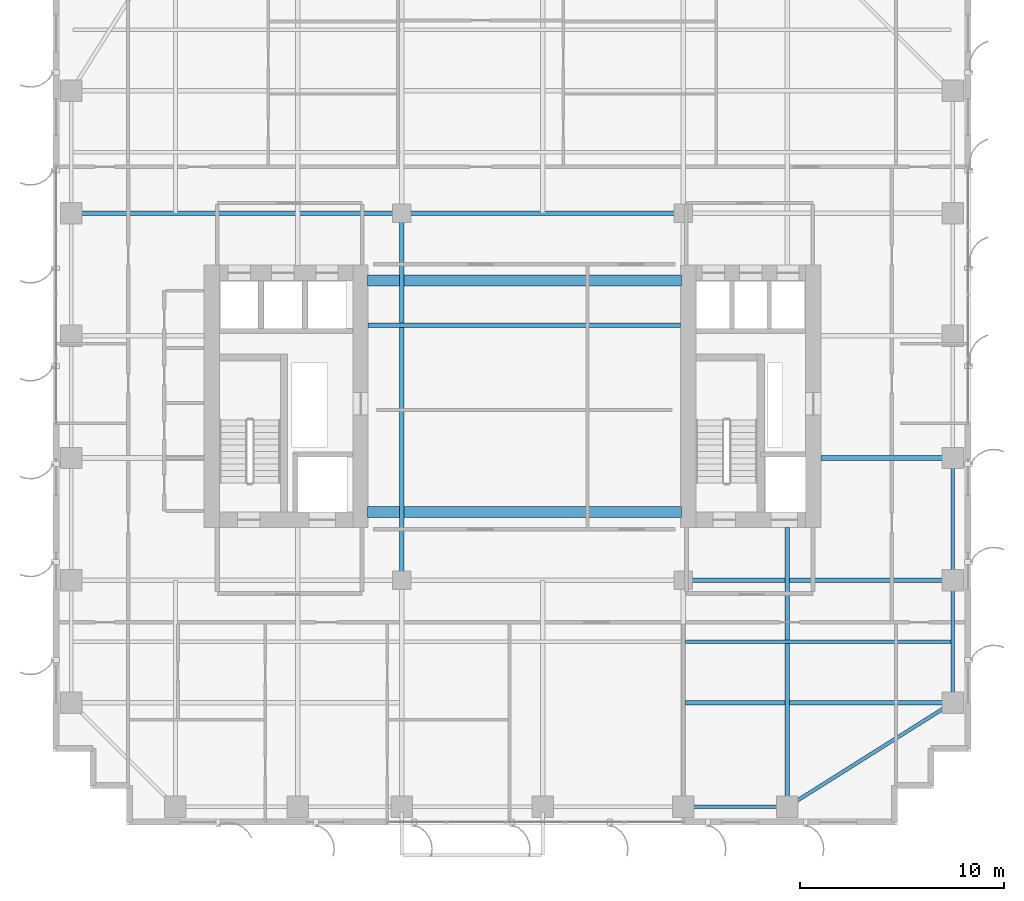
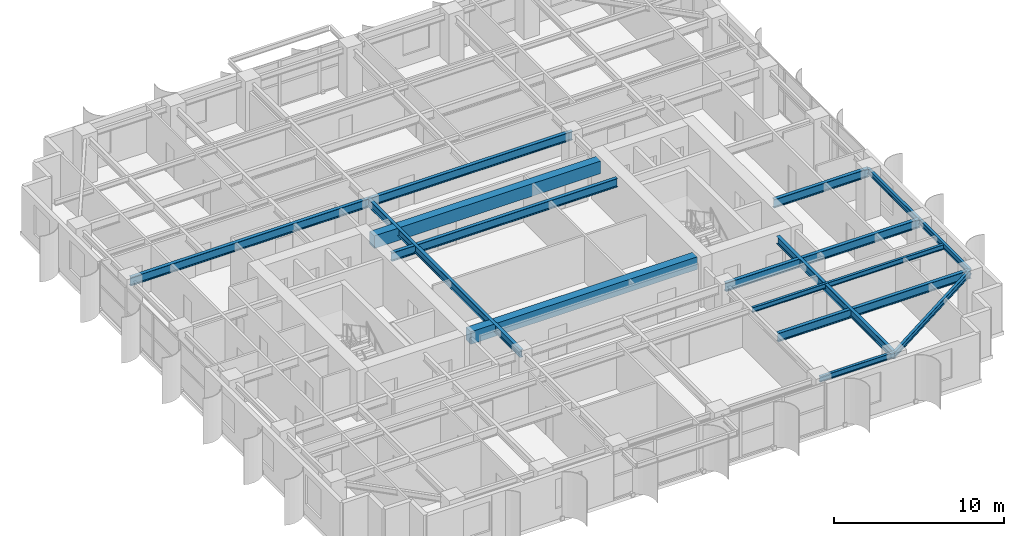
# One storey, part 6 of 23: 15 beams.
"""IFC4 building model written with IfcOpenShell, lengths in metres."""

import ifcopenshell
import ifcopenshell.guid

model = None  # the IFC model being written
_history = None  # IfcOwnerHistory: only IFC2X3 demands one
_inside = {}  # id of a spatial element -> (the spatial element, [elements in it])
_under = {}  # id of a project, library or spatial element -> (it, [spatial elements below it])
_declared = {}  # id of a project -> (the project, [libraries it declares])
_typed = {}  # id of a type object -> (the type object, [elements of that type])
_made_of = {}  # id of a material, layer set ... -> (it, [elements and type objects made of it])


def new_model(schema):
    """Start an empty IFC model of exactly this schema.

    Asked for "IFC4X3", IfcOpenShell would pick the latest addendum, in which some entities
    have other attributes; the version numbers below select the first issue.
    IFC2X3 requires an IfcOwnerHistory on every rooted entity: one is made here for all.
    """
    global model, _history
    if schema == "IFC4X3":
        model = ifcopenshell.file(schema_version=(4, 3, 0, 0))
    else:
        model = ifcopenshell.file(schema=schema)
    _inside.clear()
    _under.clear()
    _declared.clear()
    _typed.clear()
    _made_of.clear()
    _history = None
    if model.schema == "IFC2X3":
        org = make("IfcOrganization", Name="unknown")
        user = make(
            "IfcPersonAndOrganization",
            ThePerson=make("IfcPerson", FamilyName="unknown"),
            TheOrganization=org,
        )
        app = make(
            "IfcApplication",
            ApplicationDeveloper=org,
            Version="unknown",
            ApplicationFullName="unknown",
            ApplicationIdentifier="unknown",
        )
        _history = make(
            "IfcOwnerHistory",
            OwningUser=user,
            OwningApplication=app,
            ChangeAction="ADDED",
            CreationDate=0,
        )
    return model


def make(cls, **values):
    """One entity of the class cls with the attributes given. An attribute that is None is left unset."""
    return model.create_entity(
        cls, **{name: value for name, value in values.items() if value is not None}
    )


def rooted(cls, **values):
    """An entity with a GlobalId (a new one), such as an element, a storey or a relation."""
    return make(cls, GlobalId=ifcopenshell.guid.new(), OwnerHistory=_history, **values)


def si_unit(unit_type, name, prefix=None):
    """IfcSIUnit, for example si_unit("LENGTHUNIT", "METRE", prefix="MILLI")."""
    return make("IfcSIUnit", UnitType=unit_type, Prefix=prefix, Name=name)


def assignment(units):
    """IfcUnitAssignment: the units of a project."""
    return None if units is None else make("IfcUnitAssignment", Units=units)


def point(xyz):
    """IfcCartesianPoint."""
    return None if xyz is None else make("IfcCartesianPoint", Coordinates=xyz)


def direction(xyz):
    """IfcDirection."""
    return None if xyz is None else make("IfcDirection", DirectionRatios=xyz)


def frame(location, z_axis=None, x_axis=None):
    """IfcAxis2Placement3D, a coordinate frame: its origin and axes. An axis left out is left unset."""
    return make(
        "IfcAxis2Placement3D",
        Location=point(location),
        Axis=direction(z_axis),
        RefDirection=direction(x_axis),
    )


def frame_2d(location, x_axis=None):
    """IfcAxis2Placement2D, a coordinate frame in the plane: its origin and x axis."""
    return make(
        "IfcAxis2Placement2D", Location=point(location), RefDirection=direction(x_axis)
    )


def origin():
    """The frame at (0, 0, 0) with its axes left unset."""
    return frame((0.0, 0.0, 0.0))


def origin_2d():
    """The frame at (0, 0) in the plane with its x axis left unset."""
    return frame_2d((0.0, 0.0))


def place(relative_to, where):
    """IfcLocalPlacement: puts the frame where relative to a parent placement (None: the world)."""
    return make(
        "IfcLocalPlacement", PlacementRelTo=relative_to, RelativePlacement=where
    )


def context(
    kind, dimensions, precision=None, world=None, true_north=None, identifier=None
):
    """IfcGeometricRepresentationContext, for example the 3D "Model" context."""
    return make(
        "IfcGeometricRepresentationContext",
        ContextIdentifier=identifier,
        ContextType=kind,
        CoordinateSpaceDimension=dimensions,
        Precision=precision,
        WorldCoordinateSystem=world,
        TrueNorth=true_north,
    )


def subcontext(parent, identifier, kind, view, scale=None):
    """IfcGeometricRepresentationSubContext, for example "Body" below "Model"."""
    return make(
        "IfcGeometricRepresentationSubContext",
        ContextIdentifier=identifier,
        ContextType=kind,
        ParentContext=parent,
        TargetScale=scale,
        TargetView=view,
    )


def project(units=None, contexts=None):
    """IfcProject with its units and contexts."""
    return rooted(
        "IfcProject",
        Name="project",
        RepresentationContexts=contexts,
        UnitsInContext=assignment(units),
    )


def spatial(cls, under=None, at=None, **own):
    """A site, building, storey or space (cls), placed at a placement, below another one or the project."""
    s = rooted(cls, ObjectPlacement=at, **own)
    if under is not None:
        _under.setdefault(under.id(), (under, []))[1].append(s)
    return s


def profile(cls, at=None, kind="AREA", **sizes):
    """A parametric profile (cls). Its sizes go by their IFC names, for example OverallWidth=200.0."""
    return make(cls, ProfileType=kind, Position=at, **sizes)


def rectangle(**sizes):
    """IfcRectangleProfileDef."""
    return profile("IfcRectangleProfileDef", **sizes)


def i_section(**sizes):
    """IfcIShapeProfileDef."""
    return profile("IfcIShapeProfileDef", **sizes)


def extrude(swept, where, along, depth):
    """IfcExtrudedAreaSolid: the profile swept, set in the frame where, extruded along a direction by depth."""
    return make(
        "IfcExtrudedAreaSolid",
        SweptArea=swept,
        Position=where,
        ExtrudedDirection=direction(along),
        Depth=depth,
    )


def shape(context_of_items, identifier, shape_type, items):
    """IfcShapeRepresentation: the items that make up one representation, for example the "Body"."""
    return make(
        "IfcShapeRepresentation",
        ContextOfItems=context_of_items,
        RepresentationIdentifier=identifier,
        RepresentationType=shape_type,
        Items=items,
    )


def source(mapping_origin, context_of_items, identifier, shape_type, items):
    """IfcRepresentationMap: a shape defined once, which mapped items show again and again."""
    return make(
        "IfcRepresentationMap",
        MappingOrigin=mapping_origin,
        MappedRepresentation=shape(context_of_items, identifier, shape_type, items),
    )


def transform(
    local_origin,
    x_axis=None,
    y_axis=None,
    z_axis=None,
    scale=None,
    scale2=None,
    scale3=None,
    uniform=True,
):
    """IfcCartesianTransformationOperator3D, or its non-uniform kind. x_axis, y_axis, z_axis: its Axis1, 2, 3."""
    if uniform:
        return make(
            "IfcCartesianTransformationOperator3D",
            Axis1=direction(x_axis),
            Axis2=direction(y_axis),
            LocalOrigin=point(local_origin),
            Scale=scale,
            Axis3=direction(z_axis),
        )
    return make(
        "IfcCartesianTransformationOperator3DnonUniform",
        Axis1=direction(x_axis),
        Axis2=direction(y_axis),
        LocalOrigin=point(local_origin),
        Scale=scale,
        Axis3=direction(z_axis),
        Scale2=scale2,
        Scale3=scale3,
    )


def mapped(mapping_source, mapping_target):
    """IfcMappedItem: shows the shape of a source again, moved by a transform."""
    return make(
        "IfcMappedItem", MappingSource=mapping_source, MappingTarget=mapping_target
    )


def material(Name=None, Category=None):
    """IfcMaterial."""
    return make("IfcMaterial", Name=Name, Category=Category)


def material_profile(
    of_material, cross_section, Name=None, Category=None, Priority=None
):
    """IfcMaterialProfile: a cross section and its material."""
    return make(
        "IfcMaterialProfile",
        Name=Name,
        Material=of_material,
        Profile=cross_section,
        Priority=Priority,
        Category=Category,
    )


def profile_set(profiles, Name=None, composite=None):
    """IfcMaterialProfileSet."""
    return make(
        "IfcMaterialProfileSet",
        Name=Name,
        MaterialProfiles=profiles,
        CompositeProfile=composite,
    )


def made_of(thing, what):
    """Note that an element or type object is made of a material, layer set ...; save() writes the relation."""
    if what is not None:
        _made_of.setdefault(what.id(), (what, []))[1].append(thing)
    return thing


def type_object(cls, material=None, **own):
    """A type object (cls), such as IfcWallType, which elements share."""
    return made_of(rooted(cls, **own), material)


def element(
    cls,
    number,
    at=None,
    inside=None,
    cuts=None,
    type_object=None,
    material=None,
    context=None,
    identifier="Body",
    shape_type=None,
    held_by="IfcProductDefinitionShape",
    body=None,
    shapes=None,
    **own,
):
    """One element of the class cls, such as IfcWall. Its Tag is "e" and its number.

    at: its placement. inside: the storey or other place that contains it. cuts: it is an
    opening in that element (IfcRelVoidsElement). A single representation is given by context,
    identifier, shape_type and body (its items); several are given by shapes. held_by: the class
    of the entity that holds the representations. save() writes the other relations.
    """
    e = rooted(cls, Tag="e%d" % number, ObjectPlacement=at, **own)
    if body is not None:
        shapes = [shape(context, identifier, shape_type, body)]
    if shapes is not None:
        e.Representation = make(held_by, Representations=shapes)
    if inside is not None:
        _inside.setdefault(inside.id(), (inside, []))[1].append(e)
    if cuts is not None:
        rooted(
            "IfcRelVoidsElement", RelatingBuildingElement=cuts, RelatedOpeningElement=e
        )
    if type_object is not None:
        _typed.setdefault(type_object.id(), (type_object, []))[1].append(e)
    return made_of(e, material)


def aggregate(whole, parts):
    """IfcRelAggregates: a whole, such as a stair, and the parts it consists of."""
    return rooted("IfcRelAggregates", RelatingObject=whole, RelatedObjects=parts)


def save(model, path):
    """Write the relations noted so far, then the file.

    IfcRelAggregates (storeys below a building ...), IfcRelContainedInSpatialStructure (elements
    in a storey), IfcRelDefinesByType, IfcRelAssociatesMaterial and IfcRelDeclares: one each for
    every whole, place, type object, material and project.
    """
    for whole, parts in _under.values():
        aggregate(whole, parts)
    for where, things in _inside.values():
        rooted(
            "IfcRelContainedInSpatialStructure",
            RelatedElements=things,
            RelatingStructure=where,
        )
    for kind, things in _typed.values():
        rooted("IfcRelDefinesByType", RelatedObjects=things, RelatingType=kind)
    for what, things in _made_of.values():
        rooted("IfcRelAssociatesMaterial", RelatedObjects=things, RelatingMaterial=what)
    for by, libraries in _declared.values():
        rooted("IfcRelDeclares", RelatingContext=by, RelatedDefinitions=libraries)
    model.write(path)


model = new_model("IFC4")

# Units and contexts
model_context = context("Model", 3, precision=1e-05, world=origin(), true_north=direction((0.0, 1.0)))
body_context = subcontext(model_context, "Body", "Model", "MODEL_VIEW")
ifc_project = project(units=[si_unit("LENGTHUNIT", "METRE"), si_unit("AREAUNIT", "SQUARE_METRE"), si_unit("VOLUMEUNIT", "CUBIC_METRE"), si_unit("PLANEANGLEUNIT", "RADIAN"), si_unit("MASSUNIT", "GRAM", prefix="KILO")], contexts=[model_context])

# Site, building, storey
site_placement = place(None, origin())
site = spatial("IfcSite", under=ifc_project, at=site_placement, CompositionType="ELEMENT")
building_placement = place(site_placement, origin())
building = spatial("IfcBuilding", under=site, at=building_placement, Name="Khoralis Quay Care Tower", CompositionType="ELEMENT")
storey_placement = place(building_placement, frame((0.0, 0.0, 119.699951171875)))
storey = spatial("IfcBuildingStorey", under=building, at=storey_placement, Name="L31", CompositionType="ELEMENT", Elevation=119.699951171875)

# Beams
ifc_material_1 = material(Name="Concrete C65/80", Category="concrete")
ifc_material_profile_1 = material_profile(ifc_material_1, rectangle(XDim=0.550048828125, YDim=0.89990234375, at=origin_2d()), Name="Concrete C65/80")
ifc_profile_set_1 = profile_set([ifc_material_profile_1], Name="Concrete C65/80")
beam_type_1 = type_object("IfcBeamType", Name="CB-RC550X900", PredefinedType="LINTEL", material=ifc_profile_set_1)
shared_shape_1 = source(origin(), body_context, "Body", "SweptSolid", [
    extrude(rectangle(XDim=0.550048828125, YDim=0.89990234375, at=origin_2d()), origin(), (0.0, 0.0, 1.0), 15.380126953125),
])
for number, where, z_axis, x_axis, name in (
    (1, (15.419921875, 15.35009765625, 2.89013671875), (1.0, 0.0, 0.0), (0.0, 1.0, 0.0), "L31 South Core Coupling Lintel"),
    (2, (15.419921875, 26.699951171875, 2.89013671875), (1.0, 0.0, 0.0), (0.0, 1.0, 0.0), "L31 North Core Coupling Lintel"),
):
    element("IfcBeam", number, at=place(storey_placement, frame(where, z_axis=z_axis, x_axis=x_axis)), inside=storey, type_object=beam_type_1, Name=name, PredefinedType="LINTEL", context=body_context, shape_type="MappedRepresentation", body=[
        mapped(shared_shape_1, transform((0.0, 0.0, 0.0), scale=1.0)),
    ])
ifc_material_2 = material(Name="Steel S355", Category="steel")
ifc_material_profile_2 = material_profile(ifc_material_2, i_section(OverallWidth=0.179931640625, OverallDepth=0.39990234375, WebThickness=0.008544921875, FlangeThickness=0.013427734375, FilletRadius=0.02099609375, at=origin_2d()), Name="Steel S355")
ifc_profile_set_2 = profile_set([ifc_material_profile_2], Name="Steel S355")
beam_type_2 = type_object("IfcBeamType", Name="BM-IPE400", PredefinedType="SPANDREL", material=ifc_profile_set_2)
shared_shape_2 = source(origin(), body_context, "Body", "SweptSolid", [
    extrude(i_section(OverallWidth=0.179931640625, OverallDepth=0.39990234375, WebThickness=0.008544921875, FlangeThickness=0.013427734375, FilletRadius=0.02099609375, at=origin_2d()), origin(), (0.0, 0.0, 1.0), 6.0),
])
for number, where, z_axis, x_axis, name in (
    (3, (44.10009765625, 6.0, 3.14013671875), (0.0, 1.0, 0.0), (-1.0, 0.0, 0.0), "BM-TSP-L31-16"),
    (4, (44.10009765625, 12.0, 3.14013671875), (0.0, 1.0, 0.0), (-1.0, 0.0, 0.0), "BM-TSP-L31-17"),
):
    element("IfcBeam", number, at=place(storey_placement, frame(where, z_axis=z_axis, x_axis=x_axis)), inside=storey, type_object=beam_type_2, Name=name, PredefinedType="SPANDREL", context=body_context, shape_type="MappedRepresentation", body=[
        mapped(shared_shape_2, transform((0.0, 0.0, 0.0), scale=1.0)),
    ])
shared_shape_3 = source(origin(), body_context, "Body", "SweptSolid", [
    extrude(i_section(OverallWidth=0.179931640625, OverallDepth=0.39990234375, WebThickness=0.008544921875, FlangeThickness=0.013427734375, FilletRadius=0.02099609375, at=origin_2d()), origin(), (0.0, 0.0, 1.0), 5.10009765625),
])
beam_1_placement = place(storey_placement, frame((30.89990234375, 0.89990234375, 3.14013671875), z_axis=(1.0, 0.0, 0.0), x_axis=(0.0, 1.0, 0.0)))
element("IfcBeam", 5, at=beam_1_placement, inside=storey, type_object=beam_type_2, Name="BM-TSP-L31-05", PredefinedType="SPANDREL", context=body_context, shape_type="MappedRepresentation", body=[
    mapped(shared_shape_3, transform((0.0, 0.0, 0.0), scale=1.0)),
])
shared_shape_4 = source(origin(), body_context, "Body", "SweptSolid", [
    extrude(i_section(OverallWidth=0.179931640625, OverallDepth=0.39990234375, WebThickness=0.008544921875, FlangeThickness=0.013427734375, FilletRadius=0.02099609375, at=origin_2d()), origin(), (0.0, 0.0, 1.0), 9.572021484375),
])
beam_2_placement = place(storey_placement, frame((36.0, 0.89990234375, 3.14013671875), z_axis=(0.846231136359, 0.532815975602, 0.0), x_axis=(-0.532815975602, 0.846231136359, 0.0)))
element("IfcBeam", 6, at=beam_2_placement, inside=storey, type_object=beam_type_2, Name="BM-TCR-L31-22", PredefinedType="SPANDREL", context=body_context, shape_type="MappedRepresentation", body=[
    mapped(shared_shape_4, transform((0.0, 0.0, 0.0), scale=1.0)),
])
ifc_material_profile_3 = material_profile(ifc_material_2, i_section(OverallWidth=0.22998046875, OverallDepth=0.616943359375, WebThickness=0.01318359375, FlangeThickness=0.022216796875, FilletRadius=0.01806640625, at=origin_2d()), Name="Steel S355")
ifc_profile_set_3 = profile_set([ifc_material_profile_3], Name="Steel S355")
beam_type_3 = type_object("IfcBeamType", Name="BM-W610X140", PredefinedType="BEAM", material=ifc_profile_set_3)
shared_shape_5 = source(origin(), body_context, "Body", "SweptSolid", [
    extrude(i_section(OverallWidth=0.22998046875, OverallDepth=0.616943359375, WebThickness=0.01318359375, FlangeThickness=0.022216796875, FilletRadius=0.01806640625, at=origin_2d()), origin(), (0.0, 0.0, 1.0), 16.2001953125),
])
beam_3_placement = place(storey_placement, frame((0.89990234375, 30.0, 3.031494140625), z_axis=(1.0, 0.0, 0.0), x_axis=(0.0, 1.0, 0.0)))
element("IfcBeam", 7, at=beam_3_placement, inside=storey, type_object=beam_type_3, Name="BM-TGXW-L31-300", PredefinedType="BEAM", context=body_context, shape_type="MappedRepresentation", body=[
    mapped(shared_shape_5, transform((0.0, 0.0, 0.0), scale=1.0)),
])
shared_shape_6 = source(origin(), body_context, "Body", "SweptSolid", [
    extrude(i_section(OverallWidth=0.22998046875, OverallDepth=0.616943359375, WebThickness=0.01318359375, FlangeThickness=0.022216796875, FilletRadius=0.01806640625, at=origin_2d()), origin(), (0.0, 0.0, 1.0), 13.106201171875),
])
beam_4_placement = place(storey_placement, frame((30.993896484375, 6.0, 3.031494140625), z_axis=(1.0, 0.0, 0.0), x_axis=(0.0, 1.0, 0.0)))
element("IfcBeam", 8, at=beam_4_placement, inside=storey, type_object=beam_type_3, Name="BM-TGXE-L31-60", PredefinedType="BEAM", context=body_context, shape_type="MappedRepresentation", body=[
    mapped(shared_shape_6, transform((0.0, 0.0, 0.0), scale=1.0)),
])
shared_shape_7 = source(origin(), body_context, "Body", "SweptSolid", [
    extrude(i_section(OverallWidth=0.22998046875, OverallDepth=0.616943359375, WebThickness=0.01318359375, FlangeThickness=0.022216796875, FilletRadius=0.01806640625, at=origin_2d()), origin(), (0.0, 0.0, 1.0), 13.2001953125),
])
beam_5_placement = place(storey_placement, frame((30.89990234375, 12.0, 3.031494140625), z_axis=(1.0, 0.0, 0.0), x_axis=(0.0, 1.0, 0.0)))
element("IfcBeam", 9, at=beam_5_placement, inside=storey, type_object=beam_type_3, Name="BM-TGXE-L31-120", PredefinedType="BEAM", context=body_context, shape_type="MappedRepresentation", body=[
    mapped(shared_shape_7, transform((0.0, 0.0, 0.0), scale=1.0)),
])
shared_shape_8 = source(origin(), body_context, "Body", "SweptSolid", [
    extrude(i_section(OverallWidth=0.22998046875, OverallDepth=0.616943359375, WebThickness=0.01318359375, FlangeThickness=0.022216796875, FilletRadius=0.01806640625, at=origin_2d()), origin(), (0.0, 0.0, 1.0), 6.4521484375),
])
beam_6_placement = place(storey_placement, frame((37.64794921875, 18.0, 3.031494140625), z_axis=(1.0, 0.0, 0.0), x_axis=(0.0, 1.0, 0.0)))
element("IfcBeam", 10, at=beam_6_placement, inside=storey, type_object=beam_type_3, Name="BM-TGXE-L31-180", PredefinedType="BEAM", context=body_context, shape_type="MappedRepresentation", body=[
    mapped(shared_shape_8, transform((0.0, 0.0, 0.0), scale=1.0)),
])
shared_shape_9 = source(origin(), body_context, "Body", "SweptSolid", [
    extrude(i_section(OverallWidth=0.22998046875, OverallDepth=0.616943359375, WebThickness=0.01318359375, FlangeThickness=0.022216796875, FilletRadius=0.01806640625, at=origin_2d()), origin(), (0.0, 0.0, 1.0), 13.7998046875),
])
beam_7_placement = place(storey_placement, frame((17.10009765625, 30.0, 3.031494140625), z_axis=(1.0, 0.0, 0.0), x_axis=(0.0, 1.0, 0.0)))
element("IfcBeam", 11, at=beam_7_placement, inside=storey, type_object=beam_type_3, Name="BM-TGCC-L31-300", PredefinedType="BEAM", context=body_context, shape_type="MappedRepresentation", body=[
    mapped(shared_shape_9, transform((0.0, 0.0, 0.0), scale=1.0)),
])
shared_shape_10 = source(origin(), body_context, "Body", "SweptSolid", [
    extrude(i_section(OverallWidth=0.22998046875, OverallDepth=0.616943359375, WebThickness=0.01318359375, FlangeThickness=0.022216796875, FilletRadius=0.01806640625, at=origin_2d()), origin(), (0.0, 0.0, 1.0), 15.323974609375),
])
beam_8_placement = place(storey_placement, frame((15.447998046875, 24.5, 3.031494140625), z_axis=(1.0, 0.0, 0.0), x_axis=(0.0, 1.0, 0.0)))
element("IfcBeam", 12, at=beam_8_placement, inside=storey, type_object=beam_type_3, Name="BM-TGCC-L31-245", PredefinedType="BEAM", context=body_context, shape_type="MappedRepresentation", body=[
    mapped(shared_shape_10, transform((0.0, 0.0, 0.0), scale=1.0)),
])
ifc_material_profile_4 = material_profile(ifc_material_2, i_section(OverallWidth=0.2119140625, OverallDepth=0.5439453125, WebThickness=0.01318359375, FlangeThickness=0.021240234375, FilletRadius=0.01611328125, at=origin_2d()), Name="Steel S355")
ifc_profile_set_4 = profile_set([ifc_material_profile_4], Name="Steel S355")
beam_type_4 = type_object("IfcBeamType", Name="BM-W530X123", PredefinedType="BEAM", material=ifc_profile_set_4)
shared_shape_11 = source(origin(), body_context, "Body", "SweptSolid", [
    extrude(i_section(OverallWidth=0.2119140625, OverallDepth=0.5439453125, WebThickness=0.01318359375, FlangeThickness=0.021240234375, FilletRadius=0.01611328125, at=origin_2d()), origin(), (0.0, 0.0, 1.0), 13.7021484375),
])
beam_9_placement = place(storey_placement, frame((36.0, 0.89990234375, 3.068115234375), z_axis=(0.0, 1.0, 0.0), x_axis=(-1.0, 0.0, 0.0)))
element("IfcBeam", 13, at=beam_9_placement, inside=storey, type_object=beam_type_4, Name="BM-TGYS-L31-360", PredefinedType="BEAM", context=body_context, shape_type="MappedRepresentation", body=[
    mapped(shared_shape_11, transform((0.0, 0.0, 0.0), scale=1.0)),
])
shared_shape_12 = source(origin(), body_context, "Body", "SweptSolid", [
    extrude(i_section(OverallWidth=0.2119140625, OverallDepth=0.5439453125, WebThickness=0.01318359375, FlangeThickness=0.021240234375, FilletRadius=0.01611328125, at=origin_2d()), origin(), (0.0, 0.0, 1.0), 18.0),
])
beam_10_placement = place(storey_placement, frame((17.10009765625, 12.0, 3.068115234375), z_axis=(0.0, 1.0, 0.0), x_axis=(-1.0, 0.0, 0.0)))
element("IfcBeam", 14, at=beam_10_placement, inside=storey, type_object=beam_type_4, Name="BM-TGSW-L31", PredefinedType="BEAM", context=body_context, shape_type="MappedRepresentation", body=[
    mapped(shared_shape_12, transform((0.0, 0.0, 0.0), scale=1.0)),
])
ifc_material_profile_5 = material_profile(ifc_material_2, i_section(OverallWidth=0.1708984375, OverallDepth=0.35498046875, WebThickness=0.007080078125, FlangeThickness=0.01171875, FilletRadius=0.012939453125, at=origin_2d()), Name="Steel S355")
ifc_profile_set_5 = profile_set([ifc_material_profile_5], Name="Steel S355")
beam_type_5 = type_object("IfcBeamType", Name="BM-W360X51", PredefinedType="JOIST", material=ifc_profile_set_5)
shared_shape_13 = source(origin(), body_context, "Body", "SweptSolid", [
    extrude(i_section(OverallWidth=0.1708984375, OverallDepth=0.35498046875, WebThickness=0.007080078125, FlangeThickness=0.01171875, FilletRadius=0.012939453125, at=origin_2d()), origin(), (0.0, 0.0, 1.0), 13.030029296875),
])
beam_11_placement = place(storey_placement, frame((30.993896484375, 9.0, 3.16259765625), z_axis=(1.0, 0.0, 0.0), x_axis=(0.0, 1.0, 0.0)))
element("IfcBeam", 15, at=beam_11_placement, inside=storey, type_object=beam_type_5, Name="BM-TJS-L31-26", PredefinedType="JOIST", context=body_context, shape_type="MappedRepresentation", body=[
    mapped(shared_shape_13, transform((0.0, 0.0, 0.0), scale=1.0)),
])

save(model, "model.ifc")
